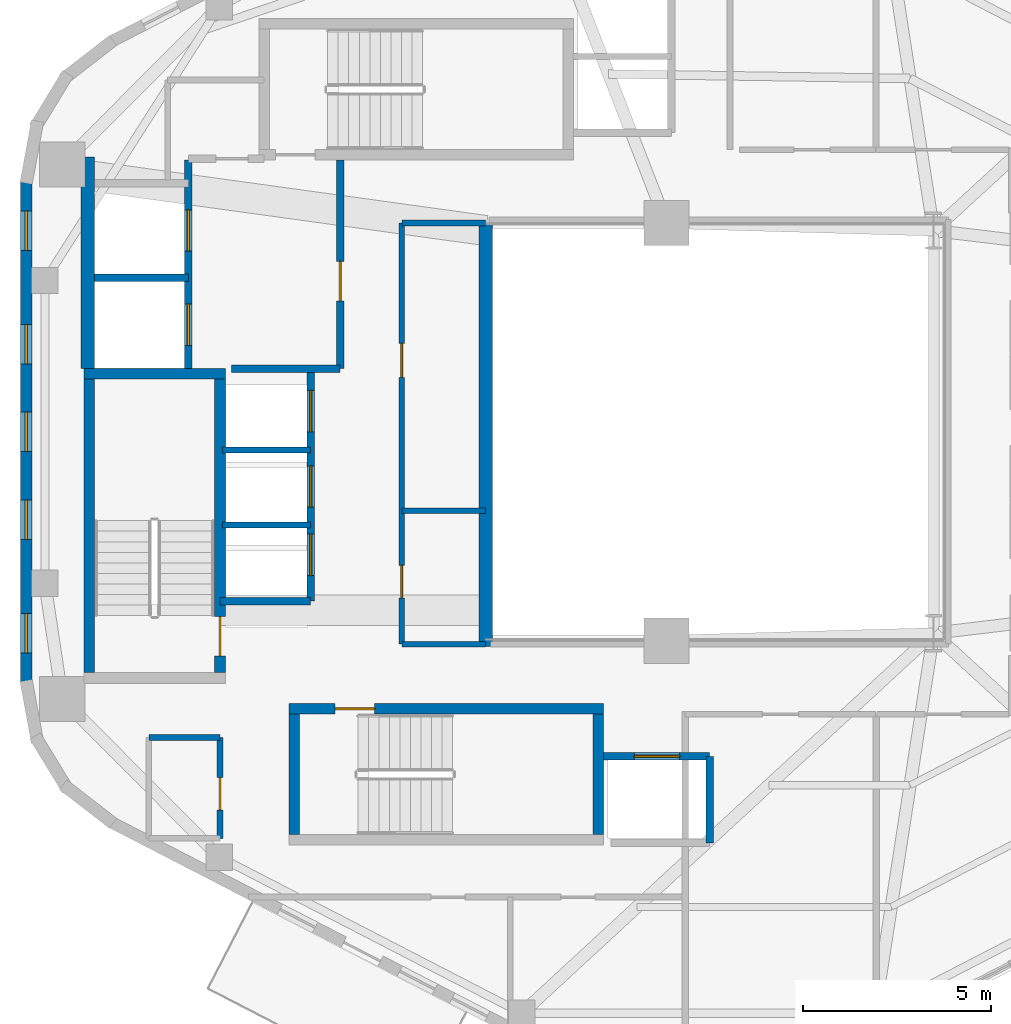
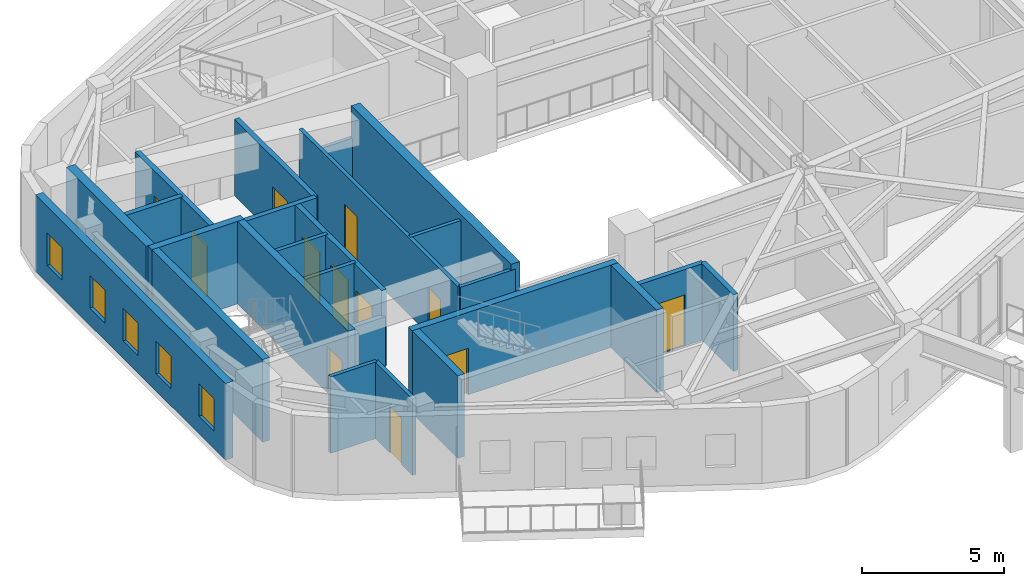
# One storey, part 6 of 10: 25 walls, 12 doors, 5 windows, 17 openings.
"""IFC4 building model written with IfcOpenShell, lengths in metres."""

from ifc_helpers import new_model, si_unit, direction, frame, frame_2d, origin, place, context, subcontext, project, spatial, rectangle, extrude, material, layer, layer_set, type_object, element, fill, save


model = new_model("IFC4")

# Units and contexts
model_context = context("Model", 3, precision=1e-05, world=origin(), true_north=direction((0.0, 1.0)))
body_context = subcontext(model_context, "Body", "Model", "MODEL_VIEW")
ifc_project = project(units=[si_unit("LENGTHUNIT", "METRE"), si_unit("AREAUNIT", "SQUARE_METRE"), si_unit("VOLUMEUNIT", "CUBIC_METRE"), si_unit("PLANEANGLEUNIT", "RADIAN"), si_unit("MASSUNIT", "GRAM", prefix="KILO"), si_unit("THERMODYNAMICTEMPERATUREUNIT", "KELVIN"), si_unit("POWERUNIT", "WATT")], contexts=[model_context])

# Site, building, storey
site_placement = place(None, origin())
site = spatial("IfcSite", under=ifc_project, at=site_placement, CompositionType="ELEMENT")
building_placement = place(site_placement, origin())
building = spatial("IfcBuilding", under=site, at=building_placement, Name="Skarre Station Tower", CompositionType="ELEMENT")
storey_placement = place(building_placement, frame((0.0, 0.0, 227.699951171875)))
storey = spatial("IfcBuildingStorey", under=building, at=storey_placement, Name="L62", CompositionType="ELEMENT", Elevation=227.699951171875)

# Wall
ifc_material_1 = material(Name="Acoustic Steel-Stud Gypsum Partition", Category="steel")
ifc_layer_1 = layer(ifc_material_1, 0.14990234375, Name="Acoustic Steel-Stud Gypsum Partition")
ifc_layer_set_1 = layer_set([ifc_layer_1], Name="Acoustic Steel-Stud Gypsum Partition")
wall_type_1 = type_object("IfcWallType", Name="Fire-Rated Corridor Acoustic Partition 150", PredefinedType="PARTITIONING", material=ifc_layer_set_1)
wall_1_placement = place(storey_placement, frame((25.320068359375, 21.89990234375, 0.0), z_axis=(0.0, 0.0, 1.0), x_axis=(1.0, 0.0, 0.0)))
element("IfcWall", 1, at=wall_1_placement, inside=storey, type_object=wall_type_1, Name="L62 Interior Partition WL-PT-L62-RC2-M", PredefinedType="PARTITIONING", context=body_context, shape_type="SweptSolid", body=[
    extrude(rectangle(XDim=2.22998046875, YDim=0.14990234375, at=frame_2d((1.114990234375, 0.0))), origin(), (0.0, 0.0, 1.0), 3.2900390625),
])

# Wall, openings, doors
wall_2_placement = place(storey_placement, frame((25.320068359375, 29.550048828125, 0.0), z_axis=(0.0, 0.0, 1.0), x_axis=(0.0, -1.0, 0.0)))
wall_2 = element("IfcWall", 2, at=wall_2_placement, inside=storey, type_object=wall_type_1, Name="L62 Interior Partition WL-PT-L62-RC2-W", PredefinedType="PARTITIONING", context=body_context, shape_type="SweptSolid", body=[
    extrude(rectangle(XDim=11.18994140625, YDim=0.14990234375, at=frame_2d((5.594970703125, 0.0))), origin(), (0.0, 0.0, 1.0), 3.2900390625),
])
opening_1_placement = place(wall_2_placement, frame((3.199951171875, 0.0, 0.0)))
opening_1 = element("IfcOpeningElement", 3, at=opening_1_placement, cuts=wall_2, Name="Opening DR-SVC90", PredefinedType="OPENING", context=body_context, shape_type="SweptSolid", body=[
    extrude(rectangle(XDim=0.89990234375, YDim=2.0, at=frame_2d((0.449951171875, 1.0))), frame((0.0, 0.0849609375, 0.0), z_axis=(0.0, -1.0, 0.0), x_axis=(1.0, 0.0, 0.0)), (0.0, 0.0, 1.0), 0.169921875),
])
opening_2_placement = place(wall_2_placement, frame((9.10009765625, 0.0, 0.0)))
opening_2 = element("IfcOpeningElement", 4, at=opening_2_placement, cuts=wall_2, Name="Opening DR-SVC86", PredefinedType="OPENING", context=body_context, shape_type="SweptSolid", body=[
    extrude(rectangle(XDim=0.860107421875, YDim=2.0, at=frame_2d((0.43017578125, 1.0))), frame((0.0, 0.0849609375, 0.0), z_axis=(0.0, -1.0, 0.0), x_axis=(1.0, 0.0, 0.0)), (0.0, 0.0, 1.0), 0.169921875),
])
ifc_material_2 = material(Name="Powder-Coated Hollow-Metal Acoustic Fire Leaf", Category="steel")
door_type_1 = type_object("IfcDoorType", Name="Compact Riser Fire Door FD60 860x2100", OperationType="SINGLE_SWING_LEFT", PredefinedType="DOOR", material=ifc_material_2)
door_1_placement = place(opening_2_placement, origin())
door_1 = element("IfcDoor", 5, at=door_1_placement, inside=storey, type_object=door_type_1, Name="L62 Espresso Room Door", OperationType="SINGLE_SWING_LEFT", OverallHeight=2.0, OverallWidth=0.860107421875, PredefinedType="DOOR", context=body_context, shape_type="SweptSolid", body=[
    extrude(rectangle(XDim=0.860107421875, YDim=2.0, at=frame_2d((0.43017578125, 1.0))), frame((0.0, 0.02490234375, 0.0), z_axis=(0.0, -1.0, 0.0), x_axis=(1.0, 0.0, 0.0)), (0.0, 0.0, 1.0), 0.050048828125),
])
fill(opening_2, door_1)
door_type_2 = type_object("IfcDoorType", Name="Service & Riser Fire Door FD60 900x2100", OperationType="SINGLE_SWING_LEFT", PredefinedType="DOOR", material=ifc_material_2)
door_2_placement = place(opening_1_placement, origin())
door_2 = element("IfcDoor", 6, at=door_2_placement, inside=storey, type_object=door_type_2, Name="L62 Reading Alcove Door", OperationType="SINGLE_SWING_LEFT", OverallHeight=2.0, OverallWidth=0.89990234375, PredefinedType="DOOR", context=body_context, shape_type="SweptSolid", body=[
    extrude(rectangle(XDim=0.89990234375, YDim=2.0, at=frame_2d((0.449951171875, 1.0))), frame((0.0, 0.02490234375, 0.0), z_axis=(0.0, -1.0, 0.0), x_axis=(1.0, 0.0, 0.0)), (0.0, 0.0, 1.0), 0.050048828125),
])
fill(opening_1, door_2)

# Walls
wall_3_placement = place(storey_placement, frame((25.320068359375, 18.360107421875, 0.0), z_axis=(0.0, 0.0, 1.0), x_axis=(1.0, 0.0, 0.0)))
element("IfcWall", 7, at=wall_3_placement, inside=storey, type_object=wall_type_1, Name="L62 Interior Partition WL-PT-L62-RC2-S", PredefinedType="PARTITIONING", context=body_context, shape_type="SweptSolid", body=[
    extrude(rectangle(XDim=2.22998046875, YDim=0.14990234375, at=frame_2d((1.114990234375, 0.0))), origin(), (0.0, 0.0, 1.0), 3.2900390625),
])
wall_4_placement = place(storey_placement, frame((27.550048828125, 29.550048828125, 0.0), z_axis=(0.0, 0.0, 1.0), x_axis=(-1.0, 0.0, 0.0)))
element("IfcWall", 8, at=wall_4_placement, inside=storey, type_object=wall_type_1, Name="L62 Interior Partition WL-PT-L62-RC2-N", PredefinedType="PARTITIONING", context=body_context, shape_type="SweptSolid", body=[
    extrude(rectangle(XDim=2.22998046875, YDim=0.14990234375, at=frame_2d((1.114990234375, 0.0))), origin(), (0.0, 0.0, 1.0), 2.18994140625),
])
wall_5_placement = place(storey_placement, frame((18.60009765625, 15.8798828125, 0.0), z_axis=(0.0, 0.0, 1.0), x_axis=(1.0, 0.0, 0.0)))
element("IfcWall", 9, at=wall_5_placement, inside=storey, type_object=wall_type_1, Name="L62 Interior Partition WL-PT-L62-CSVC-N", PredefinedType="PARTITIONING", context=body_context, shape_type="SweptSolid", body=[
    extrude(rectangle(XDim=1.889892578125, YDim=0.14990234375, at=frame_2d((0.94482421875, 0.0))), origin(), (0.0, 0.0, 1.0), 3.2900390625),
])

# Wall, opening, door
wall_6_placement = place(storey_placement, frame((20.489990234375, 13.199951171875, 0.0), z_axis=(0.0, 0.0, 1.0), x_axis=(0.0, 1.0, 0.0)))
wall_6 = element("IfcWall", 10, at=wall_6_placement, inside=storey, type_object=wall_type_1, Name="L62 Interior Partition WL-PT-L62-CSVC-E", PredefinedType="PARTITIONING", context=body_context, shape_type="SweptSolid", body=[
    extrude(rectangle(XDim=2.679931640625, YDim=0.14990234375, at=frame_2d((1.33984375, 0.0))), origin(), (0.0, 0.0, 1.0), 3.2900390625),
])
opening_3_placement = place(wall_6_placement, frame((0.75, 0.0, 0.0)))
opening_3 = element("IfcOpeningElement", 11, at=opening_3_placement, cuts=wall_6, Name="Opening DR-SVC86", PredefinedType="OPENING", context=body_context, shape_type="SweptSolid", body=[
    extrude(rectangle(XDim=0.860107421875, YDim=2.0, at=frame_2d((0.43017578125, 1.0))), frame((0.0, 0.0849609375, 0.0), z_axis=(0.0, -1.0, 0.0), x_axis=(1.0, 0.0, 0.0)), (0.0, 0.0, 1.0), 0.169921875),
])
door_3_placement = place(opening_3_placement, origin())
door_3 = element("IfcDoor", 12, at=door_3_placement, inside=storey, type_object=door_type_1, Name="L62 Supply Room Door", OperationType="SINGLE_SWING_LEFT", OverallHeight=2.0, OverallWidth=0.860107421875, PredefinedType="DOOR", context=body_context, shape_type="SweptSolid", body=[
    extrude(rectangle(XDim=0.860107421875, YDim=2.0, at=frame_2d((0.43017578125, 1.0))), frame((0.0, 0.02490234375, 0.0), z_axis=(0.0, -1.0, 0.0), x_axis=(1.0, 0.0, 0.0)), (0.0, 0.0, 1.0), 0.050048828125),
])
fill(opening_3, door_3)

# Wall, openings, windows
ifc_material_3 = material(Name="Precast concrete C45/55", Category="concrete")
ifc_layer_2 = layer(ifc_material_3, 0.31005859375, Name="Precast concrete C45/55")
ifc_layer_set_2 = layer_set([ifc_layer_2], Name="Precast concrete C45/55")
wall_type_2 = type_object("IfcWallType", Name="Nordic Upper-Zone Precast Facet Wall 310", PredefinedType="STANDARD", material=ifc_layer_set_2)
wall_7_placement = place(storey_placement, frame((15.342041015625, 17.298095703125, 0.0), z_axis=(0.0, 0.0, 1.0), x_axis=(0.0, 1.0, 0.0)))
wall_7 = element("IfcWall", 13, at=wall_7_placement, inside=storey, type_object=wall_type_2, Name="L62 Facet 2 Nordic Precast Masonry Wall", PredefinedType="STANDARD", context=body_context, shape_type="SweptSolid", body=[
    extrude(rectangle(XDim=13.40380859375, YDim=0.31005859375, at=frame_2d((6.701904296875, 0.0))), origin(), (0.0, 0.0, 1.0), 3.2900390625),
])
opening_4_placement = place(wall_7_placement, frame((0.8310546875, 0.0, 0.75)))
opening_4 = element("IfcOpeningElement", 14, at=opening_4_placement, cuts=wall_7, Name="Opening WN-SLT", PredefinedType="OPENING", context=body_context, shape_type="SweptSolid", body=[
    extrude(rectangle(XDim=1.050048828125, YDim=1.39990234375, at=frame_2d((0.52490234375, 0.699951171875))), frame((0.0, 0.1650390625, 0.0), z_axis=(0.0, -1.0, 0.0), x_axis=(1.0, 0.0, 0.0)), (0.0, 0.0, 1.0), 0.330078125),
])
opening_5_placement = place(wall_7_placement, frame((3.843017578125, 0.0, 0.75)))
opening_5 = element("IfcOpeningElement", 15, at=opening_5_placement, cuts=wall_7, Name="Opening WN-SLT", PredefinedType="OPENING", context=body_context, shape_type="SweptSolid", body=[
    extrude(rectangle(XDim=1.050048828125, YDim=1.39990234375, at=frame_2d((0.52490234375, 0.699951171875))), frame((0.0, 0.1650390625, 0.0), z_axis=(0.0, -1.0, 0.0), x_axis=(1.0, 0.0, 0.0)), (0.0, 0.0, 1.0), 0.330078125),
])
opening_6_placement = place(wall_7_placement, frame((6.177001953125, 0.0, 0.75)))
opening_6 = element("IfcOpeningElement", 16, at=opening_6_placement, cuts=wall_7, Name="Opening WN-SLT", PredefinedType="OPENING", context=body_context, shape_type="SweptSolid", body=[
    extrude(rectangle(XDim=1.050048828125, YDim=1.39990234375, at=frame_2d((0.52490234375, 0.699951171875))), frame((0.0, 0.1650390625, 0.0), z_axis=(0.0, -1.0, 0.0), x_axis=(1.0, 0.0, 0.0)), (0.0, 0.0, 1.0), 0.330078125),
])
opening_7_placement = place(wall_7_placement, frame((8.510986328125, 0.0, 0.75)))
opening_7 = element("IfcOpeningElement", 17, at=opening_7_placement, cuts=wall_7, Name="Opening WN-SLT", PredefinedType="OPENING", context=body_context, shape_type="SweptSolid", body=[
    extrude(rectangle(XDim=1.050048828125, YDim=1.39990234375, at=frame_2d((0.52490234375, 0.699951171875))), frame((0.0, 0.1650390625, 0.0), z_axis=(0.0, -1.0, 0.0), x_axis=(1.0, 0.0, 0.0)), (0.0, 0.0, 1.0), 0.330078125),
])
opening_8_placement = place(wall_7_placement, frame((11.52392578125, 0.0, 0.75)))
opening_8 = element("IfcOpeningElement", 18, at=opening_8_placement, cuts=wall_7, Name="Opening WN-SLT", PredefinedType="OPENING", context=body_context, shape_type="SweptSolid", body=[
    extrude(rectangle(XDim=1.050048828125, YDim=1.39990234375, at=frame_2d((0.52490234375, 0.699951171875))), frame((0.0, 0.1650390625, 0.0), z_axis=(0.0, -1.0, 0.0), x_axis=(1.0, 0.0, 0.0)), (0.0, 0.0, 1.0), 0.330078125),
])
ifc_material_4 = material(Name="Low-Iron Triple Glazing with Bronze Anodized Frame", Category="glass")
window_type = type_object("IfcWindowType", Name="Nordic Corner Slot Window 1050x1400", PartitioningType="SINGLE_PANEL", PredefinedType="WINDOW", material=ifc_material_4)
window_1_placement = place(opening_4_placement, origin())
window_1 = element("IfcWindow", 19, at=window_1_placement, inside=storey, type_object=window_type, Name="L62 Facade Window WL-FAC-L62-F2-1", OverallHeight=1.39990234375, OverallWidth=1.050048828125, PartitioningType="SINGLE_PANEL", PredefinedType="WINDOW", context=body_context, shape_type="SweptSolid", body=[
    extrude(rectangle(XDim=1.050048828125, YDim=1.39990234375, at=frame_2d((0.52490234375, 0.699951171875))), frame((0.0, 0.030029296875, 0.0), z_axis=(0.0, -1.0, 0.0), x_axis=(1.0, 0.0, 0.0)), (0.0, 0.0, 1.0), 0.06005859375),
])
fill(opening_4, window_1)
window_2_placement = place(opening_5_placement, origin())
window_2 = element("IfcWindow", 20, at=window_2_placement, inside=storey, type_object=window_type, Name="L62 Facade Window WL-FAC-L62-F2-2", OverallHeight=1.39990234375, OverallWidth=1.050048828125, PartitioningType="SINGLE_PANEL", PredefinedType="WINDOW", context=body_context, shape_type="SweptSolid", body=[
    extrude(rectangle(XDim=1.050048828125, YDim=1.39990234375, at=frame_2d((0.52490234375, 0.699951171875))), frame((0.0, 0.030029296875, 0.0), z_axis=(0.0, -1.0, 0.0), x_axis=(1.0, 0.0, 0.0)), (0.0, 0.0, 1.0), 0.06005859375),
])
fill(opening_5, window_2)
window_3_placement = place(opening_6_placement, origin())
window_3 = element("IfcWindow", 21, at=window_3_placement, inside=storey, type_object=window_type, Name="L62 Facade Window WL-FAC-L62-F2-3", OverallHeight=1.39990234375, OverallWidth=1.050048828125, PartitioningType="SINGLE_PANEL", PredefinedType="WINDOW", context=body_context, shape_type="SweptSolid", body=[
    extrude(rectangle(XDim=1.050048828125, YDim=1.39990234375, at=frame_2d((0.52490234375, 0.699951171875))), frame((0.0, 0.030029296875, 0.0), z_axis=(0.0, -1.0, 0.0), x_axis=(1.0, 0.0, 0.0)), (0.0, 0.0, 1.0), 0.06005859375),
])
fill(opening_6, window_3)
window_4_placement = place(opening_7_placement, origin())
window_4 = element("IfcWindow", 22, at=window_4_placement, inside=storey, type_object=window_type, Name="L62 Facade Window WL-FAC-L62-F2-4", OverallHeight=1.39990234375, OverallWidth=1.050048828125, PartitioningType="SINGLE_PANEL", PredefinedType="WINDOW", context=body_context, shape_type="SweptSolid", body=[
    extrude(rectangle(XDim=1.050048828125, YDim=1.39990234375, at=frame_2d((0.52490234375, 0.699951171875))), frame((0.0, 0.030029296875, 0.0), z_axis=(0.0, -1.0, 0.0), x_axis=(1.0, 0.0, 0.0)), (0.0, 0.0, 1.0), 0.06005859375),
])
fill(opening_7, window_4)
window_5_placement = place(opening_8_placement, origin())
window_5 = element("IfcWindow", 23, at=window_5_placement, inside=storey, type_object=window_type, Name="L62 Facade Window WL-FAC-L62-F2-5", OverallHeight=1.39990234375, OverallWidth=1.050048828125, PartitioningType="SINGLE_PANEL", PredefinedType="WINDOW", context=body_context, shape_type="SweptSolid", body=[
    extrude(rectangle(XDim=1.050048828125, YDim=1.39990234375, at=frame_2d((0.52490234375, 0.699951171875))), frame((0.0, 0.030029296875, 0.0), z_axis=(0.0, -1.0, 0.0), x_axis=(1.0, 0.0, 0.0)), (0.0, 0.0, 1.0), 0.06005859375),
])
fill(opening_8, window_5)

# Walls
ifc_material_5 = material(Name="Concrete C50/60", Category="concrete")
ifc_layer_3 = layer(ifc_material_5, 0.280029296875, Name="Concrete C50/60")
ifc_layer_set_3 = layer_set([ifc_layer_3], Name="Concrete C50/60")
wall_type_3 = type_object("IfcWallType", Name="RC Core Shear Wall 280", PredefinedType="SHEAR", material=ifc_layer_set_3)
wall_8_placement = place(storey_placement, frame((20.6298828125, 25.5400390625, 0.0), z_axis=(0.0, 0.0, 1.0), x_axis=(-1.0, 0.0, 0.0)))
element("IfcWall", 24, at=wall_8_placement, inside=storey, type_object=wall_type_3, Name="L62 Stair ST-1 North Shear Wall", PredefinedType="SHEAR", context=body_context, shape_type="SweptSolid", body=[
    extrude(rectangle(XDim=3.759765625, YDim=0.280029296875, at=frame_2d((1.8798828125, 0.0))), origin(), (0.0, 0.0, 1.0), 3.550048828125),
])
wall_9_placement = place(storey_placement, frame((17.010009765625, 25.39990234375, 0.0), z_axis=(0.0, 0.0, 1.0), x_axis=(0.0, -1.0, 0.0)))
element("IfcWall", 25, at=wall_9_placement, inside=storey, type_object=wall_type_3, Name="L62 Stair ST-1 West Shear Wall", PredefinedType="SHEAR", context=body_context, shape_type="SweptSolid", body=[
    extrude(rectangle(XDim=7.7998046875, YDim=0.280029296875, at=frame_2d((3.89990234375, 0.0))), origin(), (0.0, 0.0, 1.0), 3.550048828125),
])

# Wall, opening, door
wall_10_placement = place(storey_placement, frame((20.489990234375, 17.60009765625, 0.0), z_axis=(0.0, 0.0, 1.0), x_axis=(0.0, 1.0, 0.0)))
wall_10 = element("IfcWall", 26, at=wall_10_placement, inside=storey, type_object=wall_type_3, Name="L62 Stair ST-1 East Shear Wall", PredefinedType="SHEAR", context=body_context, shape_type="SweptSolid", body=[
    extrude(rectangle(XDim=7.7998046875, YDim=0.280029296875, at=frame_2d((3.89990234375, 0.0))), origin(), (0.0, 0.0, 1.0), 3.550048828125),
])
opening_9_placement = place(wall_10_placement, frame((0.43994140625, 0.0, 0.0)))
opening_9 = element("IfcOpeningElement", 27, at=opening_9_placement, cuts=wall_10, Name="Opening DR-FD90", PredefinedType="OPENING", context=body_context, shape_type="SweptSolid", body=[
    extrude(rectangle(XDim=1.050048828125, YDim=2.0, at=frame_2d((0.52490234375, 1.0))), frame((0.0, 0.14990234375, 0.0), z_axis=(0.0, -1.0, 0.0), x_axis=(1.0, 0.0, 0.0)), (0.0, 0.0, 1.0), 0.300048828125),
])
ifc_material_6 = material(Name="Fire-Rated Insulated Steel Frame & Timber Core Leaf", Category="steel")
door_type_3 = type_object("IfcDoorType", Name="Stair & FSAE Lobby Fire Door FD90 1050x2150", OperationType="SINGLE_SWING_RIGHT", PredefinedType="DOOR", material=ifc_material_6)
door_4_placement = place(opening_9_placement, origin())
door_4 = element("IfcDoor", 28, at=door_4_placement, inside=storey, type_object=door_type_3, Name="L62 Stair ST-1 Exit Door", OperationType="SINGLE_SWING_RIGHT", OverallHeight=2.0, OverallWidth=1.050048828125, PredefinedType="DOOR", context=body_context, shape_type="SweptSolid", body=[
    extrude(rectangle(XDim=1.050048828125, YDim=2.0, at=frame_2d((0.52490234375, 1.0))), frame((0.0, 0.02490234375, 0.0), z_axis=(0.0, -1.0, 0.0), x_axis=(1.0, 0.0, 0.0)), (0.0, 0.0, 1.0), 0.050048828125),
])
fill(opening_9, door_4)

wall_11_placement = place(storey_placement, frame((30.679931640625, 16.639892578125, 0.0), z_axis=(0.0, 0.0, 1.0), x_axis=(-1.0, 0.0, 0.0)))
wall_11 = element("IfcWall", 29, at=wall_11_placement, inside=storey, type_object=wall_type_3, Name="L62 Stair ST-2 North Shear Wall", PredefinedType="SHEAR", context=body_context, shape_type="SweptSolid", body=[
    extrude(rectangle(XDim=8.35986328125, YDim=0.280029296875, at=frame_2d((4.179931640625, 0.0))), origin(), (0.0, 0.0, 1.0), 3.550048828125),
])
opening_10_placement = place(wall_11_placement, frame((6.080078125, 0.0, 0.0)))
opening_10 = element("IfcOpeningElement", 30, at=opening_10_placement, cuts=wall_11, Name="Opening DR-FD90", PredefinedType="OPENING", context=body_context, shape_type="SweptSolid", body=[
    extrude(rectangle(XDim=1.050048828125, YDim=2.0, at=frame_2d((0.52490234375, 1.0))), frame((0.0, 0.14990234375, 0.0), z_axis=(0.0, -1.0, 0.0), x_axis=(1.0, 0.0, 0.0)), (0.0, 0.0, 1.0), 0.300048828125),
])
door_5_placement = place(opening_10_placement, origin())
door_5 = element("IfcDoor", 31, at=door_5_placement, inside=storey, type_object=door_type_3, Name="L62 Stair ST-2 Exit Door", OperationType="SINGLE_SWING_RIGHT", OverallHeight=2.0, OverallWidth=1.050048828125, PredefinedType="DOOR", context=body_context, shape_type="SweptSolid", body=[
    extrude(rectangle(XDim=1.050048828125, YDim=2.0, at=frame_2d((0.52490234375, 1.0))), frame((0.0, 0.02490234375, 0.0), z_axis=(0.0, -1.0, 0.0), x_axis=(1.0, 0.0, 0.0)), (0.0, 0.0, 1.0), 0.050048828125),
])
fill(opening_10, door_5)

# Walls
for number, where, z_axis, x_axis, name in (
    (32, (22.4599609375, 16.5, 0.0), (0.0, 0.0, 1.0), (0.0, -1.0, 0.0), "L62 Stair ST-2 West Shear Wall"),
    (33, (30.5400390625, 13.300048828125, 0.0), (0.0, 0.0, 1.0), (0.0, 1.0, 0.0), "L62 Stair ST-2 East Shear Wall"),
):
    element("IfcWall", number, at=place(storey_placement, frame(where, z_axis=z_axis, x_axis=x_axis)), inside=storey, type_object=wall_type_3, Name=name, PredefinedType="SHEAR", context=body_context, shape_type="SweptSolid", body=[
        extrude(rectangle(XDim=3.199951171875, YDim=0.280029296875, at=frame_2d((1.60009765625, 0.0))), origin(), (0.0, 0.0, 1.0), 3.550048828125),
    ])
ifc_layer_4 = layer(ifc_material_5, 0.360107421875, Name="Concrete C50/60")
ifc_layer_set_4 = layer_set([ifc_layer_4], Name="Concrete C50/60")
wall_type_4 = type_object("IfcWallType", Name="RC Core Shear Wall 360", PredefinedType="SHEAR", material=ifc_layer_set_4)
wall_12_placement = place(storey_placement, frame((16.969970703125, 25.679931640625, 0.0), z_axis=(0.0, 0.0, 1.0), x_axis=(0.0, 1.0, 0.0)))
element("IfcWall", 34, at=wall_12_placement, inside=storey, type_object=wall_type_4, Name="L62 Core West-North Shear Wall", PredefinedType="SHEAR", context=body_context, shape_type="SweptSolid", body=[
    extrude(rectangle(XDim=5.6201171875, YDim=0.360107421875, at=frame_2d((2.81005859375, 0.0))), origin(), (0.0, 0.0, 1.0), 3.550048828125),
])
wall_13_placement = place(storey_placement, frame((27.550048828125, 29.550048828125, 0.0), z_axis=(0.0, 0.0, 1.0), x_axis=(0.0, -1.0, 0.0)))
element("IfcWall", 35, at=wall_13_placement, inside=storey, type_object=wall_type_4, Name="L62 Core East Atrium Shear Wall", PredefinedType="SHEAR", context=body_context, shape_type="SweptSolid", body=[
    extrude(rectangle(XDim=11.25, YDim=0.360107421875, at=frame_2d((5.625, 0.0))), origin(), (0.0, 0.0, 1.0), 3.550048828125),
])

# Wall, openings, doors
ifc_material_7 = material(Name="Gypsum Concrete Shaft Assembly C30/37", Category="concrete")
ifc_layer_5 = layer(ifc_material_7, 0.199951171875, Name="Gypsum Concrete Shaft Assembly C30/37")
ifc_layer_set_5 = layer_set([ifc_layer_5], Name="Gypsum Concrete Shaft Assembly C30/37")
wall_type_5 = type_object("IfcWallType", Name="Shaft & Core Fire Partition 200", PredefinedType="PARTITIONING", material=ifc_layer_set_5)
wall_14_placement = place(storey_placement, frame((19.64990234375, 25.679931640625, 0.0), z_axis=(0.0, 0.0, 1.0), x_axis=(0.0, 1.0, 0.0)))
wall_14 = element("IfcWall", 36, at=wall_14_placement, inside=storey, type_object=wall_type_5, Name="L62 Interior Partition WL-PT-L62-FSAE-W", PredefinedType="PARTITIONING", context=body_context, shape_type="SweptSolid", body=[
    extrude(rectangle(XDim=5.5400390625, YDim=0.199951171875, at=frame_2d((2.77001953125, 0.0))), origin(), (0.0, 0.0, 1.0), 3.2900390625),
])
opening_11_placement = place(wall_14_placement, frame((0.6201171875, 0.0, 0.0)))
opening_11 = element("IfcOpeningElement", 37, at=opening_11_placement, cuts=wall_14, Name="Opening LD-FF1", PredefinedType="OPENING", context=body_context, shape_type="SweptSolid", body=[
    extrude(rectangle(XDim=1.10009765625, YDim=2.199951171875, at=frame_2d((0.550048828125, 1.10009765625))), frame((0.0, 0.10986328125, 0.0), z_axis=(0.0, -1.0, 0.0), x_axis=(1.0, 0.0, 0.0)), (0.0, 0.0, 1.0), 0.219970703125),
])
opening_12_placement = place(wall_14_placement, frame((3.1201171875, 0.0, 0.0)))
opening_12 = element("IfcOpeningElement", 38, at=opening_12_placement, cuts=wall_14, Name="Opening LD-FF2", PredefinedType="OPENING", context=body_context, shape_type="SweptSolid", body=[
    extrude(rectangle(XDim=1.10009765625, YDim=2.199951171875, at=frame_2d((0.550048828125, 1.10009765625))), frame((0.0, 0.10986328125, 0.0), z_axis=(0.0, -1.0, 0.0), x_axis=(1.0, 0.0, 0.0)), (0.0, 0.0, 1.0), 0.219970703125),
])
ifc_material_8 = material(Name="Fire-Rated Stainless Steel Grade 316L Sliding Leaves", Category="steel")
door_type_4 = type_object("IfcDoorType", Name="Fire Service Access Elevator Sliding Landing Door 1100x2200", OperationType="SLIDING_TO_LEFT", PredefinedType="DOOR", material=ifc_material_8)
door_6_placement = place(opening_11_placement, origin())
door_6 = element("IfcDoor", 39, at=door_6_placement, inside=storey, type_object=door_type_4, Name="L62 Firefighting Lift LF-FF1 Landing Door", OperationType="SLIDING_TO_LEFT", OverallHeight=2.199951171875, OverallWidth=1.10009765625, PredefinedType="DOOR", context=body_context, shape_type="SweptSolid", body=[
    extrude(rectangle(XDim=1.10009765625, YDim=2.199951171875, at=frame_2d((0.550048828125, 1.10009765625))), frame((0.0, 0.02490234375, 0.0), z_axis=(0.0, -1.0, 0.0), x_axis=(1.0, 0.0, 0.0)), (0.0, 0.0, 1.0), 0.050048828125),
])
fill(opening_11, door_6)
door_7_placement = place(opening_12_placement, origin())
door_7 = element("IfcDoor", 40, at=door_7_placement, inside=storey, type_object=door_type_4, Name="L62 Firefighting Lift LF-FF2 Landing Door", OperationType="SLIDING_TO_LEFT", OverallHeight=2.199951171875, OverallWidth=1.10009765625, PredefinedType="DOOR", context=body_context, shape_type="SweptSolid", body=[
    extrude(rectangle(XDim=1.10009765625, YDim=2.199951171875, at=frame_2d((0.550048828125, 1.10009765625))), frame((0.0, 0.02490234375, 0.0), z_axis=(0.0, -1.0, 0.0), x_axis=(1.0, 0.0, 0.0)), (0.0, 0.0, 1.0), 0.050048828125),
])
fill(opening_12, door_7)

# Wall
wall_15_placement = place(storey_placement, frame((20.79296875, 25.679931640625, 0.0), z_axis=(0.0, 0.0, 1.0), x_axis=(1.0, 0.0, 0.0)))
element("IfcWall", 41, at=wall_15_placement, inside=storey, type_object=wall_type_5, Name="L62 Interior Partition WL-PT-L62-FSAE-S", PredefinedType="PARTITIONING", context=body_context, shape_type="SweptSolid", body=[
    extrude(rectangle(XDim=2.886962890625, YDim=0.199951171875, at=frame_2d((1.443359375, 0.0))), origin(), (0.0, 0.0, 1.0), 3.2900390625),
])

# Wall, opening, door
wall_16_placement = place(storey_placement, frame((23.679931640625, 25.679931640625, 0.0), z_axis=(0.0, 0.0, 1.0), x_axis=(0.0, 1.0, 0.0)))
wall_16 = element("IfcWall", 42, at=wall_16_placement, inside=storey, type_object=wall_type_5, Name="L62 Interior Partition WL-PT-L62-FSAE-E", PredefinedType="PARTITIONING", context=body_context, shape_type="SweptSolid", body=[
    extrude(rectangle(XDim=5.5400390625, YDim=0.199951171875, at=frame_2d((2.77001953125, 0.0))), origin(), (0.0, 0.0, 1.0), 3.2900390625),
])
opening_13_placement = place(wall_16_placement, frame((1.800048828125, 0.0, 0.0)))
opening_13 = element("IfcOpeningElement", 43, at=opening_13_placement, cuts=wall_16, Name="Opening DR-FD90", PredefinedType="OPENING", context=body_context, shape_type="SweptSolid", body=[
    extrude(rectangle(XDim=1.050048828125, YDim=2.0, at=frame_2d((0.52490234375, 1.0))), frame((0.0, 0.10986328125, 0.0), z_axis=(0.0, -1.0, 0.0), x_axis=(1.0, 0.0, 0.0)), (0.0, 0.0, 1.0), 0.219970703125),
])
door_8_placement = place(opening_13_placement, origin())
door_8 = element("IfcDoor", 44, at=door_8_placement, inside=storey, type_object=door_type_3, Name="L62 FSAE Lobby Fire Door", OperationType="SINGLE_SWING_RIGHT", OverallHeight=2.0, OverallWidth=1.050048828125, PredefinedType="DOOR", context=body_context, shape_type="SweptSolid", body=[
    extrude(rectangle(XDim=1.050048828125, YDim=2.0, at=frame_2d((0.52490234375, 1.0))), frame((0.0, 0.02490234375, 0.0), z_axis=(0.0, -1.0, 0.0), x_axis=(1.0, 0.0, 0.0)), (0.0, 0.0, 1.0), 0.050048828125),
])
fill(opening_13, door_8)

# Wall
wall_17_placement = place(storey_placement, frame((17.14990234375, 28.10009765625, 0.0), z_axis=(0.0, 0.0, 1.0), x_axis=(1.0, 0.0, 0.0)))
element("IfcWall", 45, at=wall_17_placement, inside=storey, type_object=wall_type_5, Name="L62 Interior Partition WL-PT-L62-FF-DIV", PredefinedType="PARTITIONING", context=body_context, shape_type="SweptSolid", body=[
    extrude(rectangle(XDim=2.5, YDim=0.199951171875, at=frame_2d((1.25, 0.0))), origin(), (0.0, 0.0, 1.0), 3.2900390625),
])

# Wall, opening, door
wall_18_placement = place(storey_placement, frame((33.5, 15.3798828125, 0.0), z_axis=(0.0, 0.0, 1.0), x_axis=(-1.0, 0.0, 0.0)))
wall_18 = element("IfcWall", 46, at=wall_18_placement, inside=storey, type_object=wall_type_5, Name="L62 Interior Partition WL-PT-L62-SV1-N", PredefinedType="PARTITIONING", context=body_context, shape_type="SweptSolid", body=[
    extrude(rectangle(XDim=2.820068359375, YDim=0.199951171875, at=frame_2d((1.41015625, 0.0))), origin(), (0.0, 0.0, 1.0), 3.2900390625),
])
opening_14_placement = place(wall_18_placement, frame((0.800048828125, 0.0, 0.0)))
opening_14 = element("IfcOpeningElement", 47, at=opening_14_placement, cuts=wall_18, Name="Opening LD-SV1", PredefinedType="OPENING", context=body_context, shape_type="SweptSolid", body=[
    extrude(rectangle(XDim=1.199951171875, YDim=2.199951171875, at=frame_2d((0.60009765625, 1.10009765625))), frame((0.0, 0.10986328125, 0.0), z_axis=(0.0, -1.0, 0.0), x_axis=(1.0, 0.0, 0.0)), (0.0, 0.0, 1.0), 0.219970703125),
])
ifc_material_9 = material(Name="Heavy-Gauge Brushed Stainless Steel Sliding Leaves", Category="steel")
door_type_5 = type_object("IfcDoorType", Name="Service Elevator Wide Sliding Landing Door 1200x2200", OperationType="SLIDING_TO_RIGHT", PredefinedType="DOOR", material=ifc_material_9)
door_9_placement = place(opening_14_placement, origin())
door_9 = element("IfcDoor", 48, at=door_9_placement, inside=storey, type_object=door_type_5, Name="L62 Service Lift LF-SV1 Landing Door", OperationType="SLIDING_TO_RIGHT", OverallHeight=2.199951171875, OverallWidth=1.199951171875, PredefinedType="DOOR", context=body_context, shape_type="SweptSolid", body=[
    extrude(rectangle(XDim=1.199951171875, YDim=2.199951171875, at=frame_2d((0.60009765625, 1.10009765625))), frame((0.0, 0.02490234375, 0.0), z_axis=(0.0, -1.0, 0.0), x_axis=(1.0, 0.0, 0.0)), (0.0, 0.0, 1.0), 0.050048828125),
])
fill(opening_14, door_9)

# Wall
wall_19_placement = place(storey_placement, frame((33.5, 13.080078125, 0.0), z_axis=(0.0, 0.0, 1.0), x_axis=(0.0, 1.0, 0.0)))
element("IfcWall", 49, at=wall_19_placement, inside=storey, type_object=wall_type_5, Name="L62 Interior Partition WL-PT-L62-SV1-E", PredefinedType="PARTITIONING", context=body_context, shape_type="SweptSolid", body=[
    extrude(rectangle(XDim=2.2998046875, YDim=0.199951171875, at=frame_2d((1.14990234375, 0.0))), origin(), (0.0, 0.0, 1.0), 3.2900390625),
])

# Wall, openings, doors
wall_20_placement = place(storey_placement, frame((22.89990234375, 19.5, 0.0), z_axis=(0.0, 0.0, 1.0), x_axis=(0.0, 1.0, 0.0)))
wall_20 = element("IfcWall", 50, at=wall_20_placement, inside=storey, type_object=wall_type_5, Name="L62 Interior Partition WL-PT-L62-B3-E", PredefinedType="PARTITIONING", context=body_context, shape_type="SweptSolid", body=[
    extrude(rectangle(XDim=6.0849609375, YDim=0.199951171875, at=frame_2d((3.04248046875, 0.0))), origin(), (0.0, 0.0, 1.0), 3.2900390625),
])
opening_15_placement = place(wall_20_placement, frame((0.679931640625, 0.0, 0.0)))
opening_15 = element("IfcOpeningElement", 51, at=opening_15_placement, cuts=wall_20, Name="Opening LD-P7", PredefinedType="OPENING", context=body_context, shape_type="SweptSolid", body=[
    extrude(rectangle(XDim=1.10009765625, YDim=2.199951171875, at=frame_2d((0.550048828125, 1.10009765625))), frame((0.0, 0.10986328125, 0.0), z_axis=(0.0, -1.0, 0.0), x_axis=(1.0, 0.0, 0.0)), (0.0, 0.0, 1.0), 0.219970703125),
])
opening_16_placement = place(wall_20_placement, frame((2.5, 0.0, 0.0)))
opening_16 = element("IfcOpeningElement", 52, at=opening_16_placement, cuts=wall_20, Name="Opening LD-P8", PredefinedType="OPENING", context=body_context, shape_type="SweptSolid", body=[
    extrude(rectangle(XDim=1.10009765625, YDim=2.199951171875, at=frame_2d((0.550048828125, 1.10009765625))), frame((0.0, 0.10986328125, 0.0), z_axis=(0.0, -1.0, 0.0), x_axis=(1.0, 0.0, 0.0)), (0.0, 0.0, 1.0), 0.219970703125),
])
opening_17_placement = place(wall_20_placement, frame((4.5, 0.0, 0.0)))
opening_17 = element("IfcOpeningElement", 53, at=opening_17_placement, cuts=wall_20, Name="Opening LD-P9", PredefinedType="OPENING", context=body_context, shape_type="SweptSolid", body=[
    extrude(rectangle(XDim=1.10009765625, YDim=2.199951171875, at=frame_2d((0.550048828125, 1.10009765625))), frame((0.0, 0.10986328125, 0.0), z_axis=(0.0, -1.0, 0.0), x_axis=(1.0, 0.0, 0.0)), (0.0, 0.0, 1.0), 0.219970703125),
])
ifc_material_10 = material(Name="Brushed Bronze Stainless Steel Sliding Leaves", Category="steel")
door_type_6 = type_object("IfcDoorType", Name="Passenger Elevator Center-Parting Sliding Door 1100x2200", OperationType="SLIDING_TO_LEFT", PredefinedType="DOOR", material=ifc_material_10)
door_10_placement = place(opening_15_placement, origin())
door_10 = element("IfcDoor", 54, at=door_10_placement, inside=storey, type_object=door_type_6, Name="L62 Passenger Lift LF-P7 Landing Door", OperationType="SLIDING_TO_LEFT", OverallHeight=2.199951171875, OverallWidth=1.10009765625, PredefinedType="DOOR", context=body_context, shape_type="SweptSolid", body=[
    extrude(rectangle(XDim=1.10009765625, YDim=2.199951171875, at=frame_2d((0.550048828125, 1.10009765625))), frame((0.0, 0.02490234375, 0.0), z_axis=(0.0, -1.0, 0.0), x_axis=(1.0, 0.0, 0.0)), (0.0, 0.0, 1.0), 0.050048828125),
])
fill(opening_15, door_10)
door_11_placement = place(opening_16_placement, origin())
door_11 = element("IfcDoor", 55, at=door_11_placement, inside=storey, type_object=door_type_6, Name="L62 Passenger Lift LF-P8 Landing Door", OperationType="SLIDING_TO_LEFT", OverallHeight=2.199951171875, OverallWidth=1.10009765625, PredefinedType="DOOR", context=body_context, shape_type="SweptSolid", body=[
    extrude(rectangle(XDim=1.10009765625, YDim=2.199951171875, at=frame_2d((0.550048828125, 1.10009765625))), frame((0.0, 0.02490234375, 0.0), z_axis=(0.0, -1.0, 0.0), x_axis=(1.0, 0.0, 0.0)), (0.0, 0.0, 1.0), 0.050048828125),
])
fill(opening_16, door_11)
door_12_placement = place(opening_17_placement, origin())
door_12 = element("IfcDoor", 56, at=door_12_placement, inside=storey, type_object=door_type_6, Name="L62 Passenger Lift LF-P9 Landing Door", OperationType="SLIDING_TO_LEFT", OverallHeight=2.199951171875, OverallWidth=1.10009765625, PredefinedType="DOOR", context=body_context, shape_type="SweptSolid", body=[
    extrude(rectangle(XDim=1.10009765625, YDim=2.199951171875, at=frame_2d((0.550048828125, 1.10009765625))), frame((0.0, 0.02490234375, 0.0), z_axis=(0.0, -1.0, 0.0), x_axis=(1.0, 0.0, 0.0)), (0.0, 0.0, 1.0), 0.050048828125),
])
fill(opening_17, door_12)

# Walls
wall_21_placement = place(storey_placement, frame((20.489990234375, 19.5, 0.0), z_axis=(0.0, 0.0, 1.0), x_axis=(1.0, 0.0, 0.0)))
element("IfcWall", 57, at=wall_21_placement, inside=storey, type_object=wall_type_5, Name="L62 Interior Partition WL-PT-L62-B3-S", PredefinedType="PARTITIONING", context=body_context, shape_type="SweptSolid", body=[
    extrude(rectangle(XDim=2.409912109375, YDim=0.199951171875, at=frame_2d((1.205078125, 0.0))), origin(), (0.0, 0.0, 1.0), 2.18994140625),
])
for number, where, z_axis, x_axis, name in (
    (58, (20.550048828125, 21.52001953125, 0.0), (0.0, 0.0, 1.0), (1.0, 0.0, 0.0), "L62 Interior Partition WL-PT-L62-B3-D1"),
    (59, (20.550048828125, 23.52001953125, 0.0), (0.0, 0.0, 1.0), (1.0, 0.0, 0.0), "L62 Interior Partition WL-PT-L62-B3-D2"),
):
    element("IfcWall", number, at=place(storey_placement, frame(where, z_axis=z_axis, x_axis=x_axis)), inside=storey, type_object=wall_type_5, Name=name, PredefinedType="PARTITIONING", context=body_context, shape_type="SweptSolid", body=[
        extrude(rectangle(XDim=2.349853515625, YDim=0.159912109375, at=frame_2d((1.1748046875, 0.0))), origin(), (0.0, 0.0, 1.0), 3.2900390625),
    ])

save(model, "model.ifc")
